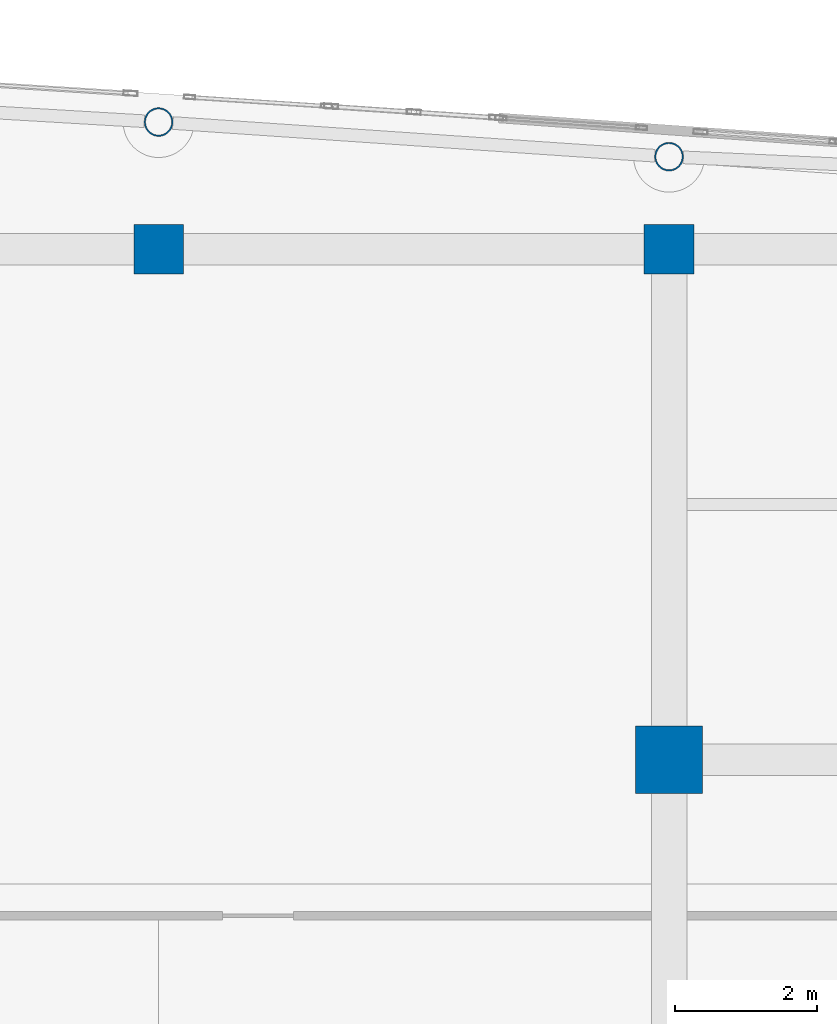
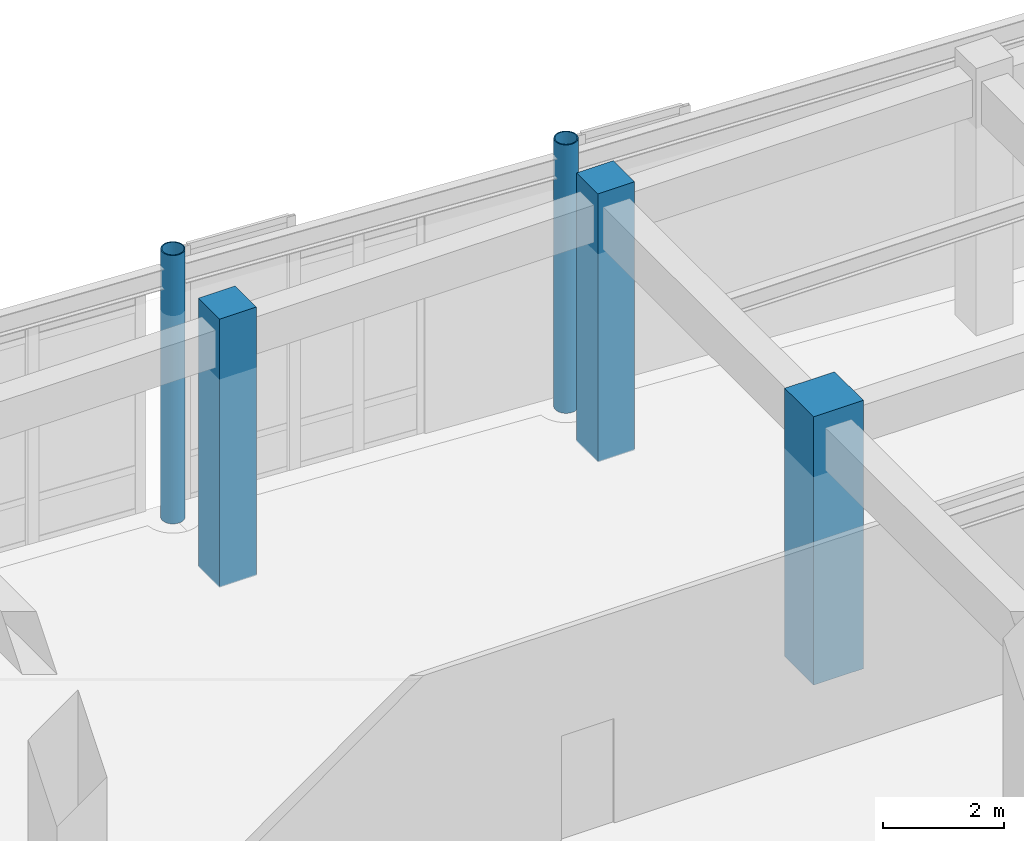
# One storey, part 12 of 102: 5 columns.
"""IFC4 building model written with IfcOpenShell, lengths in metres."""

from ifc_helpers import new_model, si_unit, direction, frame, origin, origin_2d, place, context, subcontext, project, spatial, rectangle, hollow_circle, extrude, material, material_profile, profile_set, type_object, element, save


model = new_model("IFC4")

# Units and contexts
model_context = context("Model", 3, precision=1e-05, world=origin(), true_north=direction((0.0, 1.0)))
body_context = subcontext(model_context, "Body", "Model", "MODEL_VIEW")
ifc_project = project(units=[si_unit("LENGTHUNIT", "METRE"), si_unit("AREAUNIT", "SQUARE_METRE"), si_unit("VOLUMEUNIT", "CUBIC_METRE"), si_unit("PLANEANGLEUNIT", "RADIAN"), si_unit("MASSUNIT", "GRAM", prefix="KILO")], contexts=[model_context])

# Site, building, storey
site_placement = place(None, origin())
site = spatial("IfcSite", under=ifc_project, at=site_placement, CompositionType="ELEMENT")
building_placement = place(site_placement, origin())
building = spatial("IfcBuilding", under=site, at=building_placement, Name="Carrowvane Square Congress Hotel", CompositionType="ELEMENT")
storey_placement = place(building_placement, origin())
storey = spatial("IfcBuildingStorey", under=building, at=storey_placement, Name="L00", CompositionType="ELEMENT", Elevation=0.0)

# Columns
ifc_material_1 = material(Name="Concrete C40/50", Category="concrete")
ifc_material_profile_1 = material_profile(ifc_material_1, rectangle(XDim=0.699951171875, YDim=0.699951171875, at=origin_2d()), Name="RC 700x700")
ifc_profile_set_1 = profile_set([ifc_material_profile_1], Name="Concrete C40/50")
column_type_1 = type_object("IfcColumnType", Name="COL-RC-700", PredefinedType="COLUMN", material=ifc_profile_set_1)
for number, where, z_axis, x_axis, name in (
    (1, (126.800048828125, 113.39990234375, 0.0), (0.0, 0.0, 1.0), (1.0, 0.0, 0.0), "L00 column 17/R"),
    (2, (134.0, 113.39990234375, 0.0), (0.0, 0.0, 1.0), (1.0, 0.0, 0.0), "L00 column 18/R"),
):
    element("IfcColumn", number, at=place(storey_placement, frame(where, z_axis=z_axis, x_axis=x_axis)), inside=storey, type_object=column_type_1, Name=name, PredefinedType="COLUMN", context=body_context, shape_type="SweptSolid", body=[
        extrude(rectangle(XDim=0.699951171875, YDim=0.699951171875, at=origin_2d()), origin(), (0.0, 0.0, 1.0), 5.39990234375),
    ])
ifc_material_2 = material(Name="Steel S355", Category="steel")
ifc_material_profile_2 = material_profile(ifc_material_2, hollow_circle(Radius=0.203125, WallThickness=0.02001953125, at=origin_2d()), Name="CHS 406.4x20")
ifc_profile_set_2 = profile_set([ifc_material_profile_2], Name="Steel S355")
column_type_2 = type_object("IfcColumnType", Name="COL-ST-CHS406", PredefinedType="COLUMN", material=ifc_profile_set_2)
for number, where, z_axis, x_axis, name in (
    (3, (126.800048828125, 115.1943359375, 0.0), (0.0, 0.0, 1.0), (1.0, 0.0, 0.0), "L00 column 17/ARC"),
    (4, (134.0, 114.7060546875, 0.0), (0.0, 0.0, 1.0), (1.0, 0.0, 0.0), "L00 column 18/ARC"),
):
    element("IfcColumn", number, at=place(storey_placement, frame(where, z_axis=z_axis, x_axis=x_axis)), inside=storey, type_object=column_type_2, Name=name, PredefinedType="COLUMN", context=body_context, shape_type="SweptSolid", body=[
        extrude(hollow_circle(Radius=0.203125, WallThickness=0.02001953125, at=origin_2d()), origin(), (0.0, 0.0, 1.0), 5.39990234375),
    ])
ifc_material_3 = material(Name="Concrete C40/50", Category="concrete")
ifc_material_profile_3 = material_profile(ifc_material_3, rectangle(XDim=0.949951171875, YDim=0.949951171875, at=origin_2d()), Name="RC 950x950")
ifc_profile_set_3 = profile_set([ifc_material_profile_3], Name="Concrete C40/50")
column_type_3 = type_object("IfcColumnType", Name="MCOL-RC-1000", PredefinedType="COLUMN", material=ifc_profile_set_3)
column_placement = place(storey_placement, frame((134.0, 106.199951171875, 0.0), z_axis=(0.0, 0.0, 1.0), x_axis=(1.0, 0.0, 0.0)))
element("IfcColumn", 5, at=column_placement, inside=storey, type_object=column_type_3, Name="L00 column 18/Q", PredefinedType="COLUMN", context=body_context, shape_type="SweptSolid", body=[
    extrude(rectangle(XDim=0.949951171875, YDim=0.949951171875, at=origin_2d()), origin(), (0.0, 0.0, 1.0), 5.39990234375),
])

save(model, "model.ifc")
